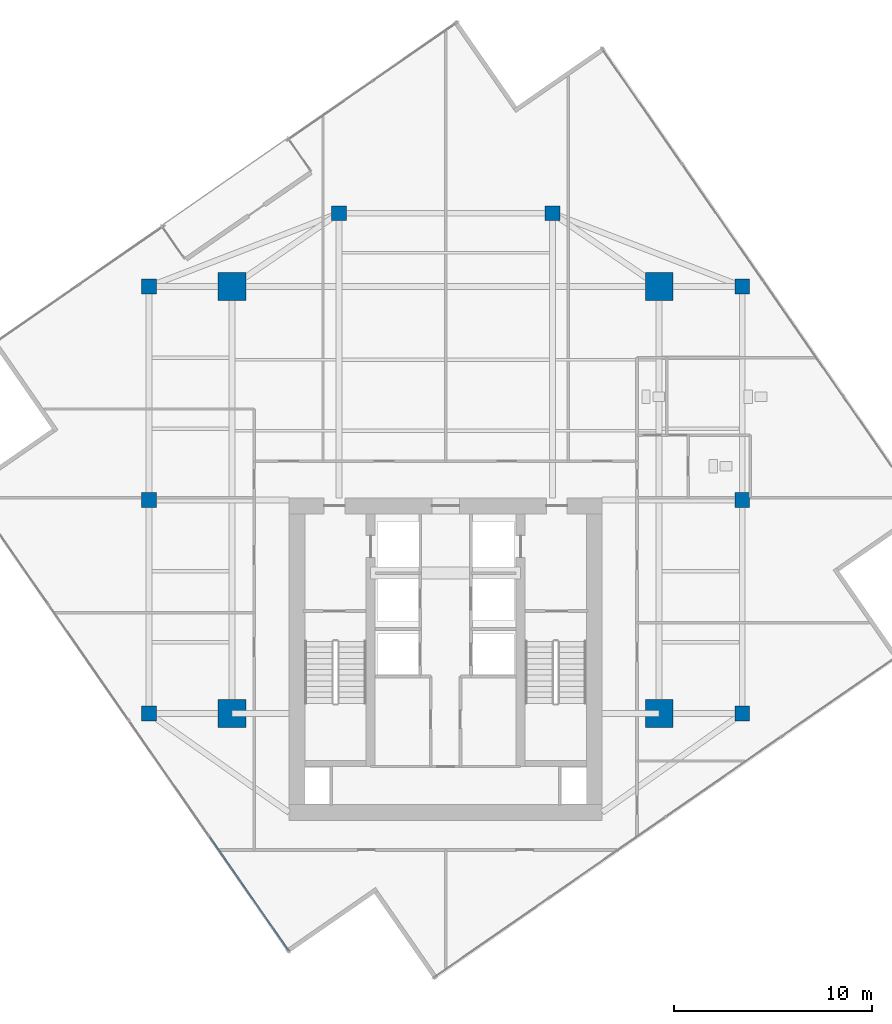
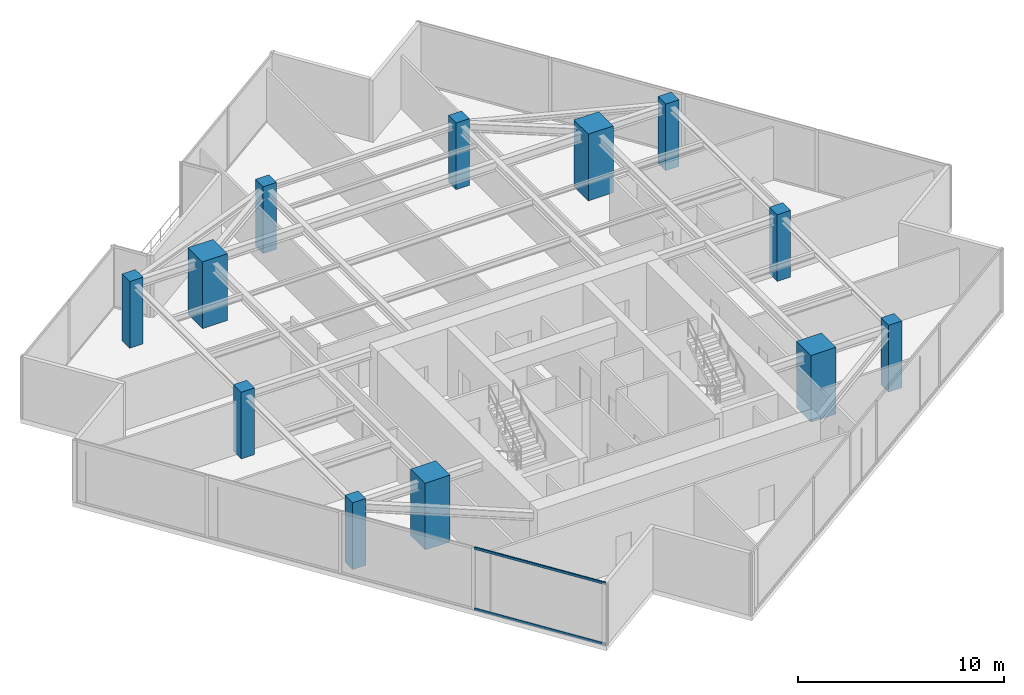
# One storey, part 1 of 21: 12 columns, 2 members, 1 element without a shape of its own.
"""IFC4 building model written with IfcOpenShell, lengths in metres."""

from ifc_helpers import new_model, si_unit, direction, frame, origin, origin_2d, place, context, subcontext, project, spatial, rectangle, hollow_rectangle, extrude, source, transform, mapped, material, material_profile, profile_set, type_object, type_shapes, element, aggregate, save


model = new_model("IFC4")

# Units and contexts
model_context = context("Model", 3, precision=1e-05, world=origin(), true_north=direction((0.0, 1.0)))
body_context = subcontext(model_context, "Body", "Model", "MODEL_VIEW")
ifc_project = project(units=[si_unit("LENGTHUNIT", "METRE"), si_unit("AREAUNIT", "SQUARE_METRE"), si_unit("VOLUMEUNIT", "CUBIC_METRE"), si_unit("PLANEANGLEUNIT", "RADIAN"), si_unit("MASSUNIT", "GRAM", prefix="KILO")], contexts=[model_context])

# Site, building, storey
site_placement = place(None, origin())
site = spatial("IfcSite", under=ifc_project, at=site_placement, CompositionType="ELEMENT")
building_placement = place(site_placement, origin())
building = spatial("IfcBuilding", under=site, at=building_placement, Name="Krantzveldt Concourse Tower", CompositionType="ELEMENT")
storey_placement = place(building_placement, frame((0.0, 0.0, 275.300048828125)))
storey = spatial("IfcBuildingStorey", under=building, at=storey_placement, Name="L67", CompositionType="ELEMENT", Elevation=275.300048828125)

# Columns
ifc_material_1 = material(Name="Concrete C50/60", Category="concrete")
ifc_material_profile_1 = material_profile(ifc_material_1, rectangle(XDim=1.39990234375, YDim=1.39990234375, at=origin_2d()), Name="Concrete C50/60", Category="concrete")
ifc_profile_set_1 = profile_set([ifc_material_profile_1], Name="Concrete C50/60 - RC 1400x1400")
column_type_1 = type_object("IfcColumnType", Name="COL-MC-1400", PredefinedType="USERDEFINED", material=ifc_profile_set_1)
shared_shape_1 = source(origin(), body_context, "Body", "SweptSolid", [
    extrude(rectangle(XDim=1.39990234375, YDim=1.39990234375, at=origin_2d()), origin(), (0.0, 0.0, 1.0), 3.949951171875),
])
type_shapes(column_type_1, [shared_shape_1])
for number, where, z_axis, x_axis, name in (
    (1, (25.199951171875, 15.89990234375, 0.0), (0.0, 0.0, 1.0), (1.0, 0.0, 0.0), "MC-SW-L67"),
    (2, (46.800048828125, 15.89990234375, 0.0), (0.0, 0.0, 1.0), (1.0, 0.0, 0.0), "MC-SE-L67"),
    (3, (46.800048828125, 37.5, 0.0), (0.0, 0.0, 1.0), (1.0, 0.0, 0.0), "MC-NE-L67"),
    (4, (25.199951171875, 37.5, 0.0), (0.0, 0.0, 1.0), (1.0, 0.0, 0.0), "MC-NW-L67"),
):
    element("IfcColumn", number, at=place(storey_placement, frame(where, z_axis=z_axis, x_axis=x_axis)), inside=storey, type_object=column_type_1, Name=name, ObjectType="MEGA COLUMN", PredefinedType="USERDEFINED", context=body_context, shape_type="MappedRepresentation", body=[
        mapped(shared_shape_1, transform((0.0, 0.0, 0.0), x_axis=(1.0, 0.0, 0.0), y_axis=(0.0, 1.0, 0.0), z_axis=(0.0, 0.0, 1.0), scale=1.0)),
    ])
ifc_material_profile_2 = material_profile(ifc_material_1, rectangle(XDim=0.75, YDim=0.75, at=origin_2d()), Name="Concrete C50/60", Category="concrete")
ifc_profile_set_2 = profile_set([ifc_material_profile_2], Name="Concrete C50/60 - RC 750x750")
column_type_2 = type_object("IfcColumnType", Name="COL-C-Z5", PredefinedType="COLUMN", material=ifc_profile_set_2)
shared_shape_2 = source(origin(), body_context, "Body", "SweptSolid", [
    extrude(rectangle(XDim=0.75, YDim=0.75, at=origin_2d()), origin(), (0.0, 0.0, 1.0), 3.949951171875),
])
type_shapes(column_type_2, [shared_shape_2])
for number, where, z_axis, x_axis, name in (
    (5, (21.0, 15.89990234375, 0.0), (0.0, 0.0, 1.0), (1.0, 0.0, 0.0), "PC-R01-L67"),
    (6, (21.0, 26.699951171875, 0.0), (0.0, 0.0, 1.0), (1.0, 0.0, 0.0), "PC-R02-L67"),
    (7, (21.0, 37.5, 0.0), (0.0, 0.0, 1.0), (1.0, 0.0, 0.0), "PC-R03-L67"),
    (8, (30.60009765625, 41.199951171875, 0.0), (0.0, 0.0, 1.0), (1.0, 0.0, 0.0), "PC-R04-L67"),
    (9, (41.39990234375, 41.199951171875, 0.0), (0.0, 0.0, 1.0), (1.0, 0.0, 0.0), "PC-R05-L67"),
    (10, (51.0, 37.5, 0.0), (0.0, 0.0, 1.0), (1.0, 0.0, 0.0), "PC-R06-L67"),
    (11, (51.0, 26.699951171875, 0.0), (0.0, 0.0, 1.0), (1.0, 0.0, 0.0), "PC-R07-L67"),
    (12, (51.0, 15.89990234375, 0.0), (0.0, 0.0, 1.0), (1.0, 0.0, 0.0), "PC-R08-L67"),
):
    element("IfcColumn", number, at=place(storey_placement, frame(where, z_axis=z_axis, x_axis=x_axis)), inside=storey, type_object=column_type_2, Name=name, PredefinedType="COLUMN", context=body_context, shape_type="MappedRepresentation", body=[
        mapped(shared_shape_2, transform((0.0, 0.0, 0.0), x_axis=(1.0, 0.0, 0.0), y_axis=(0.0, 1.0, 0.0), z_axis=(0.0, 0.0, 1.0), scale=1.0)),
    ])

# Curtain wall, members
ifc_material_2 = material(Name="Anodised aluminium 6063-T6", Category="aluminium")
curtain_wall_type = type_object("IfcCurtainWallType", Name="CW4", PredefinedType="USERDEFINED", material=ifc_material_2)
curtain_wall_placement = place(storey_placement, origin())
curtain_wall = element("IfcCurtainWall", 13, at=curtain_wall_placement, inside=storey, type_object=curtain_wall_type, Name="CW-L67-F08", ObjectType="UNITISED CURTAIN WALL", PredefinedType="USERDEFINED")
ifc_material_profile_3 = material_profile(ifc_material_2, hollow_rectangle(XDim=0.070068359375, YDim=0.139892578125, WallThickness=0.0048828125, at=origin_2d()), Name="Anodised aluminium 6063-T6", Category="aluminium")
ifc_profile_set_3 = profile_set([ifc_material_profile_3], Name="Anodised aluminium 6063-T6 - ALU-TRAN 140x70x5")
member_type = type_object("IfcMemberType", Name="CW-TRN-150", PredefinedType="USERDEFINED", material=ifc_profile_set_3)
shared_shape_3 = source(origin(), body_context, "Body", "SweptSolid", [
    extrude(hollow_rectangle(XDim=0.070068359375, YDim=0.139892578125, WallThickness=0.0048828125, at=origin_2d()), origin(), (0.0, 0.0, 1.0), 7.045166015625),
])
type_shapes(member_type, [shared_shape_3])
member_1_placement = place(storey_placement, frame((24.065185546875, 9.67578125, 0.034912109375), z_axis=(0.569991796641, -0.821650382926, 0.0), x_axis=(0.821650382926, 0.569991796641, 0.0)))
member_1 = element("IfcMember", 14, at=member_1_placement, type_object=member_type, Name="CW-Z56 transom 4.1", ObjectType="TRANSOM", PredefinedType="USERDEFINED", context=body_context, shape_type="MappedRepresentation", body=[
    mapped(shared_shape_3, transform((0.0, 0.0, 0.0), x_axis=(1.0, 0.0, 0.0), y_axis=(0.0, 1.0, 0.0), z_axis=(0.0, 0.0, 1.0), scale=1.0)),
])
member_2_placement = place(storey_placement, frame((24.065185546875, 9.67578125, 3.635009765625), z_axis=(0.569991796641, -0.821650382926, 0.0), x_axis=(0.821650382926, 0.569991796641, 0.0)))
member_2 = element("IfcMember", 15, at=member_2_placement, type_object=member_type, Name="CW-Z56 transom 4.2", ObjectType="TRANSOM", PredefinedType="USERDEFINED", context=body_context, shape_type="MappedRepresentation", body=[
    mapped(shared_shape_3, transform((0.0, 0.0, 0.0), x_axis=(1.0, 0.0, 0.0), y_axis=(0.0, 1.0, 0.0), z_axis=(0.0, 0.0, 1.0), scale=1.0)),
])
aggregate(curtain_wall, [member_1, member_2])

save(model, "model.ifc")
